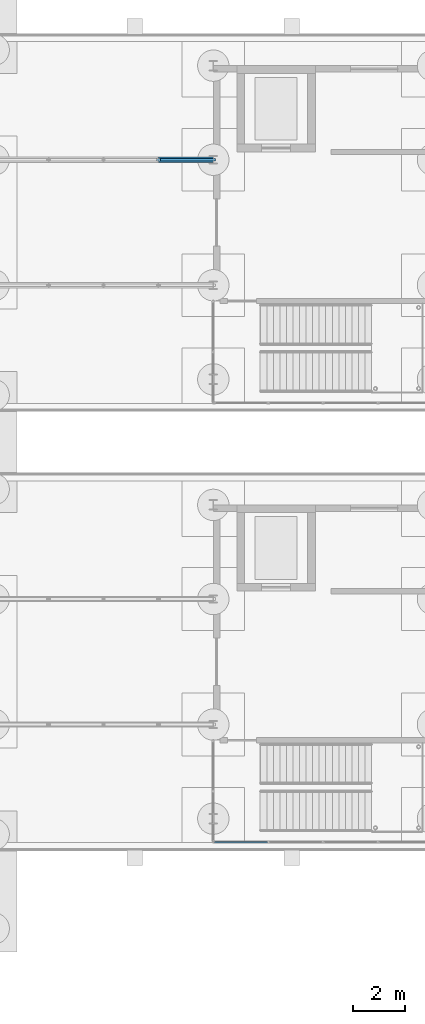
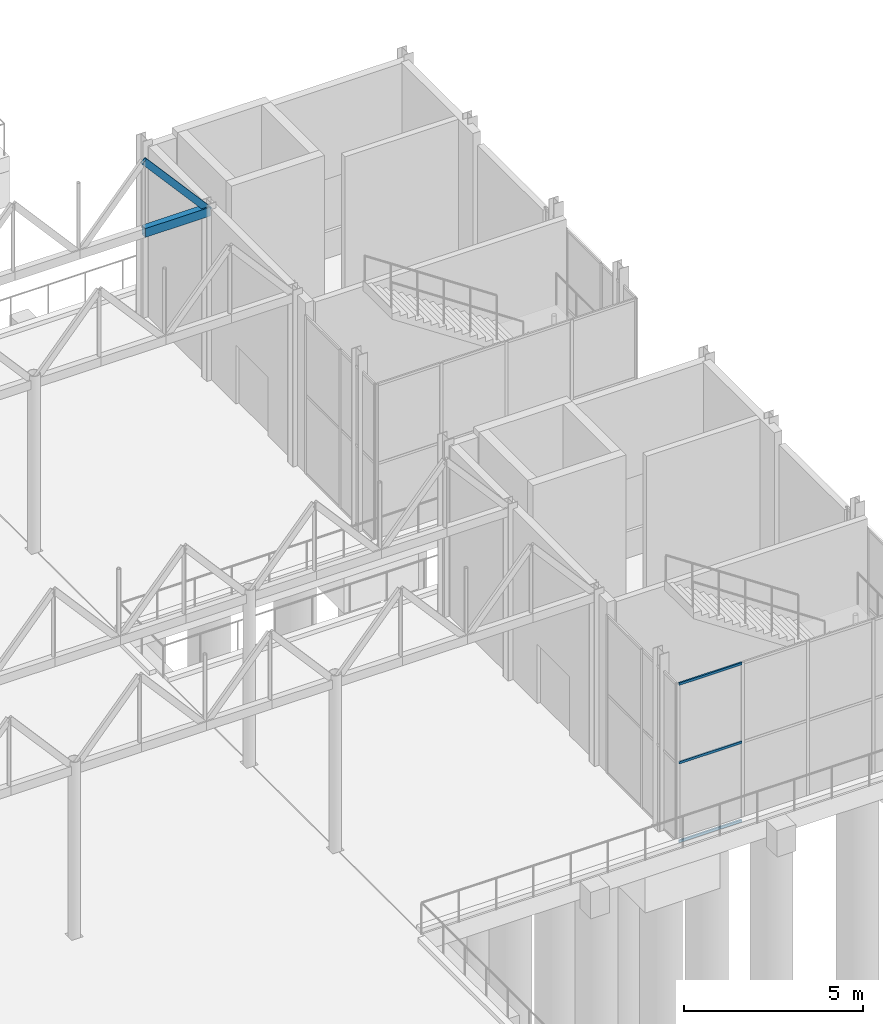
# One storey, part 126 of 212: 5 members, 1 element without a shape of its own.
"""IFC4 building model written with IfcOpenShell, lengths in metres."""

from ifc_helpers import new_model, si_unit, direction, frame, origin, origin_2d, place, context, subcontext, project, spatial, hollow_rectangle, extrude, material, material_profile, profile_set, type_object, element, aggregate, save


model = new_model("IFC4")

# Units and contexts
model_context = context("Model", 3, precision=1e-05, world=origin(), true_north=direction((0.0, 1.0)))
body_context = subcontext(model_context, "Body", "Model", "MODEL_VIEW")
ifc_project = project(units=[si_unit("LENGTHUNIT", "METRE"), si_unit("AREAUNIT", "SQUARE_METRE"), si_unit("VOLUMEUNIT", "CUBIC_METRE"), si_unit("PLANEANGLEUNIT", "RADIAN"), si_unit("MASSUNIT", "GRAM", prefix="KILO")], contexts=[model_context])

# Site, building, storey
site_placement = place(None, origin())
site = spatial("IfcSite", under=ifc_project, at=site_placement, CompositionType="ELEMENT")
building_placement = place(site_placement, origin())
building = spatial("IfcBuilding", under=site, at=building_placement, Name="Catenary Quay Ferry Terminal", CompositionType="ELEMENT")
storey_placement = place(building_placement, origin())
storey = spatial("IfcBuildingStorey", under=building, at=storey_placement, Name="L00", CompositionType="ELEMENT", Elevation=0.0)

# Members
ifc_material_1 = material(Name="Steel S355", Category="steel")
ifc_material_profile_1 = material_profile(ifc_material_1, hollow_rectangle(XDim=0.10009765625, YDim=0.199951171875, WallThickness=0.008056640625, at=origin_2d()), Name="RHS 200x100x8")
ifc_profile_set_1 = profile_set([ifc_material_profile_1], Name="Steel S355")
member_type_1 = type_object("IfcMemberType", Name="BR3 RHS 200x100x8", PredefinedType="BRACE", material=ifc_profile_set_1)
member_1_placement = place(storey_placement, frame((123.89990234375, 94.800048828125, 8.10009765625), z_axis=(0.65849918825, 0.0, -0.752581436839), x_axis=(0.0, 1.0, 0.0)))
element("IfcMember", 1, at=member_1_placement, inside=storey, type_object=member_type_1, Name="Bridge diagonal BB2N-D16", PredefinedType="BRACE", context=body_context, shape_type="SweptSolid", body=[
    extrude(hollow_rectangle(XDim=0.10009765625, YDim=0.199951171875, WallThickness=0.008056640625, at=origin_2d()), origin(), (0.0, 0.0, 1.0), 3.189208984375),
])
ifc_material_2 = material(Name="Steel S355", Category="steel")
ifc_material_profile_2 = material_profile(ifc_material_2, hollow_rectangle(XDim=0.199951171875, YDim=0.300048828125, WallThickness=0.012451171875, at=origin_2d()), Name="RHS 300x200x12.5")
ifc_profile_set_2 = profile_set([ifc_material_profile_2], Name="Steel S355")
member_type_2 = type_object("IfcMemberType", Name="TC1 RHS 300x200x12.5", PredefinedType="CHORD", material=ifc_profile_set_2)
member_2_placement = place(storey_placement, frame((123.89990234375, 94.800048828125, 5.699951171875), z_axis=(1.0, 0.0, 0.0), x_axis=(0.0, 1.0, 0.0)))
element("IfcMember", 2, at=member_2_placement, inside=storey, type_object=member_type_2, Name="Bridge bottom chord BB2N-BC16", PredefinedType="CHORD", context=body_context, shape_type="SweptSolid", body=[
    extrude(hollow_rectangle(XDim=0.199951171875, YDim=0.300048828125, WallThickness=0.012451171875, at=origin_2d()), origin(), (0.0, 0.0, 1.0), 2.10009765625),
])

# Curtain wall, members
ifc_material_3 = material(Name="Aluminium and glass", Category="aluminium")
curtain_wall_type = type_object("IfcCurtainWallType", Name="CWK", PredefinedType="NOTDEFINED", material=ifc_material_3)
curtain_wall_placement = place(storey_placement, origin())
curtain_wall = element("IfcCurtainWall", 3, at=curtain_wall_placement, inside=storey, type_object=curtain_wall_type, Name="Head berth 1 stair curtain wall CW76", PredefinedType="NOTDEFINED")
ifc_material_4 = material(Name="Aluminium", Category="aluminium")
ifc_material_profile_3 = material_profile(ifc_material_4, hollow_rectangle(XDim=0.050048828125, YDim=0.080078125, WallThickness=0.00390625, at=origin_2d()), Name="TR1")
ifc_profile_set_3 = profile_set([ifc_material_profile_3], Name="Aluminium")
member_type_3 = type_object("IfcMemberType", Name="TR1", PredefinedType="USERDEFINED", material=ifc_profile_set_3)
member_3_placement = place(storey_placement, frame((126.050048828125, 68.699951171875, 0.02490234375), z_axis=(1.0, 0.0, 0.0), x_axis=(0.0, 1.0, 0.0)))
member_3 = element("IfcMember", 4, at=member_3_placement, type_object=member_type_3, Name="CW76 transom 1.1", ObjectType="TRANSOM", PredefinedType="USERDEFINED", context=body_context, shape_type="SweptSolid", body=[
    extrude(hollow_rectangle(XDim=0.050048828125, YDim=0.080078125, WallThickness=0.00390625, at=origin_2d()), origin(), (0.0, 0.0, 1.0), 2.02490234375),
])
member_4_placement = place(storey_placement, frame((126.050048828125, 68.699951171875, 2.699951171875), z_axis=(1.0, 0.0, 0.0), x_axis=(0.0, 1.0, 0.0)))
member_4 = element("IfcMember", 5, at=member_4_placement, type_object=member_type_3, Name="CW76 transom 1.2", ObjectType="TRANSOM", PredefinedType="USERDEFINED", context=body_context, shape_type="SweptSolid", body=[
    extrude(hollow_rectangle(XDim=0.050048828125, YDim=0.080078125, WallThickness=0.00390625, at=origin_2d()), origin(), (0.0, 0.0, 1.0), 2.02490234375),
])
member_5_placement = place(storey_placement, frame((126.050048828125, 68.699951171875, 5.375), z_axis=(1.0, 0.0, 0.0), x_axis=(0.0, 1.0, 0.0)))
member_5 = element("IfcMember", 6, at=member_5_placement, type_object=member_type_3, Name="CW76 transom 1.3", ObjectType="TRANSOM", PredefinedType="USERDEFINED", context=body_context, shape_type="SweptSolid", body=[
    extrude(hollow_rectangle(XDim=0.050048828125, YDim=0.080078125, WallThickness=0.00390625, at=origin_2d()), origin(), (0.0, 0.0, 1.0), 2.02490234375),
])
aggregate(curtain_wall, [member_3, member_4, member_5])

save(model, "model.ifc")
